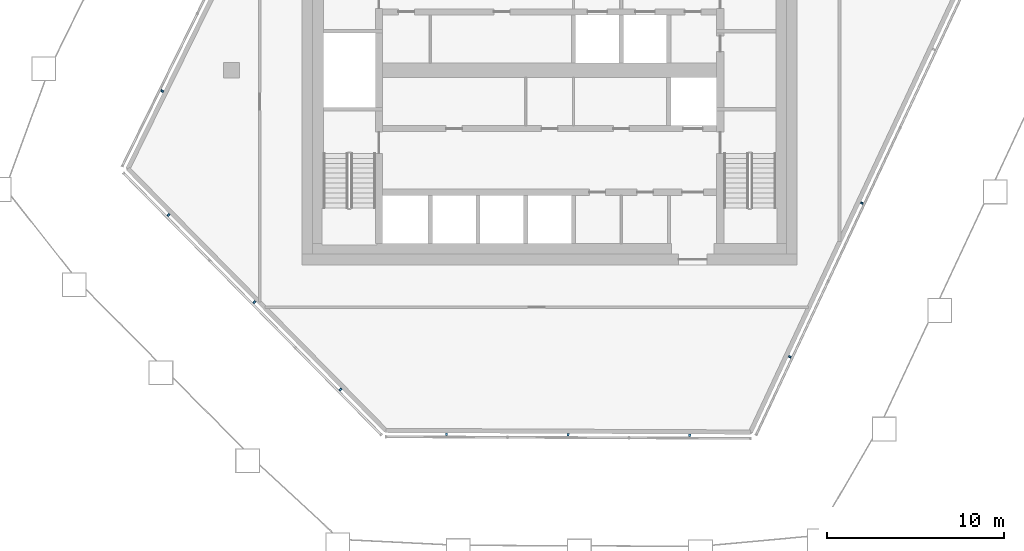
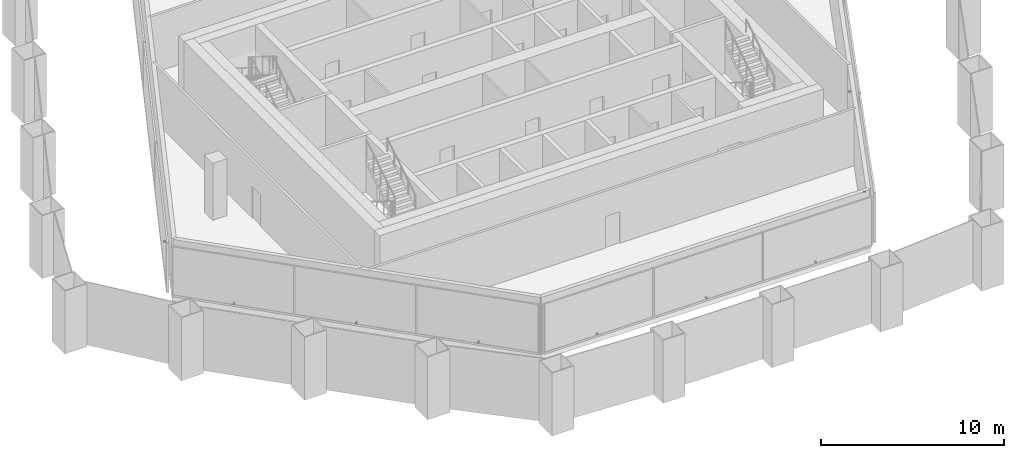
# One storey, part 10 of 18: 9 discrete accessories, 4 elements without a shape of their own.
"""IFC4 building model written with IfcOpenShell, lengths in metres."""

from ifc_helpers import new_model, si_unit, direction, frame, origin, origin_2d, place, context, subcontext, project, spatial, rectangle, extrude, material, layer, layer_set, type_object, element, aggregate, save


model = new_model("IFC4")

# Units and contexts
model_context = context("Model", 3, precision=1e-05, world=origin(), true_north=direction((0.0, 1.0)))
body_context = subcontext(model_context, "Body", "Model", "MODEL_VIEW")
ifc_project = project(units=[si_unit("LENGTHUNIT", "METRE"), si_unit("AREAUNIT", "SQUARE_METRE"), si_unit("VOLUMEUNIT", "CUBIC_METRE"), si_unit("PLANEANGLEUNIT", "RADIAN"), si_unit("MASSUNIT", "GRAM", prefix="KILO")], contexts=[model_context])

# Site, building, storey
site_placement = place(None, origin())
site = spatial("IfcSite", under=ifc_project, at=site_placement, CompositionType="ELEMENT")
building_placement = place(site_placement, origin())
building = spatial("IfcBuilding", under=site, at=building_placement, Name="Dongbaek Canopy Tower", CompositionType="ELEMENT")
storey_placement = place(building_placement, frame((0.0, 0.0, 359.0)))
storey = spatial("IfcBuildingStorey", under=building, at=storey_placement, Name="L77", CompositionType="ELEMENT", Elevation=359.0)

# Curtain wall, discrete accessories
ifc_material_1 = material(Name="Aluminium 6063-T6 pale anodised", Category="aluminium")
ifc_layer = layer(ifc_material_1, 0.14990234375)
ifc_layer_set = layer_set([ifc_layer], Name="CW-7 louvre curtain wall")
curtain_wall_type = type_object("IfcCurtainWallType", Name="CW-7 louvre curtain wall", PredefinedType="NOTDEFINED", material=ifc_layer_set)
curtain_wall_1_placement = place(storey_placement, origin())
curtain_wall_1 = element("IfcCurtainWall", 1, at=curtain_wall_1_placement, inside=storey, type_object=curtain_wall_type, Name="CW-7 louvre wall L77 F0", PredefinedType="NOTDEFINED")
ifc_material_2 = material(Name="Galvanised steel S355 bracket", Category="steel")
discrete_accessory_type = type_object("IfcDiscreteAccessoryType", Name="Louvre bracket BR1", PredefinedType="BRACKET", material=ifc_material_2)
discrete_accessory_1_placement = place(storey_placement, frame((-5.827880859375, -20.592041015625, 0.18994140625), z_axis=(0.0, 0.0, 1.0), x_axis=(0.999990026762, -0.004466136555, 0.0)))
discrete_accessory_1 = element("IfcDiscreteAccessory", 2, at=discrete_accessory_1_placement, type_object=discrete_accessory_type, Name="Louvre bracket L77 F0.1.1", PredefinedType="BRACKET", context=body_context, shape_type="SweptSolid", body=[
    extrude(rectangle(XDim=0.1201171875, YDim=0.14990234375, at=origin_2d()), origin(), (0.0, 0.0, 1.0), 0.10009765625),
])
discrete_accessory_2_placement = place(storey_placement, frame((1.050048828125, -20.622802734375, 0.18994140625), z_axis=(0.0, 0.0, 1.0), x_axis=(0.999990026762, -0.004466136555, 0.0)))
discrete_accessory_2 = element("IfcDiscreteAccessory", 3, at=discrete_accessory_2_placement, type_object=discrete_accessory_type, Name="Louvre bracket L77 F0.1.2", PredefinedType="BRACKET", context=body_context, shape_type="SweptSolid", body=[
    extrude(rectangle(XDim=0.1201171875, YDim=0.14990234375, at=origin_2d()), origin(), (0.0, 0.0, 1.0), 0.10009765625),
])
discrete_accessory_3_placement = place(storey_placement, frame((7.927734375, -20.6533203125, 0.18994140625), z_axis=(0.0, 0.0, 1.0), x_axis=(0.999990026762, -0.004466136555, 0.0)))
discrete_accessory_3 = element("IfcDiscreteAccessory", 4, at=discrete_accessory_3_placement, type_object=discrete_accessory_type, Name="Louvre bracket L77 F0.1.3", PredefinedType="BRACKET", context=body_context, shape_type="SweptSolid", body=[
    extrude(rectangle(XDim=0.1201171875, YDim=0.14990234375, at=origin_2d()), origin(), (0.0, 0.0, 1.0), 0.10009765625),
])
aggregate(curtain_wall_1, [discrete_accessory_1, discrete_accessory_2, discrete_accessory_3])

curtain_wall_2_placement = place(storey_placement, origin())
curtain_wall_2 = element("IfcCurtainWall", 5, at=curtain_wall_2_placement, inside=storey, type_object=curtain_wall_type, Name="CW-7 louvre wall L77 F1", PredefinedType="NOTDEFINED")
discrete_accessory_4_placement = place(storey_placement, frame((13.58447265625, -16.20654296875, 0.18994140625), z_axis=(0.0, 0.0, 1.0), x_axis=(0.42412286138, 0.905604659029, 0.0)))
discrete_accessory_4 = element("IfcDiscreteAccessory", 6, at=discrete_accessory_4_placement, type_object=discrete_accessory_type, Name="Louvre bracket L77 F1.1.1", PredefinedType="BRACKET", context=body_context, shape_type="SweptSolid", body=[
    extrude(rectangle(XDim=0.1201171875, YDim=0.14990234375, at=origin_2d()), origin(), (0.0, 0.0, 1.0), 0.10009765625),
])
discrete_accessory_5_placement = place(storey_placement, frame((17.65625, -7.51220703125, 0.18994140625), z_axis=(0.0, 0.0, 1.0), x_axis=(0.42412286138, 0.905604659029, 0.0)))
discrete_accessory_5 = element("IfcDiscreteAccessory", 7, at=discrete_accessory_5_placement, type_object=discrete_accessory_type, Name="Louvre bracket L77 F1.1.2", PredefinedType="BRACKET", context=body_context, shape_type="SweptSolid", body=[
    extrude(rectangle(XDim=0.1201171875, YDim=0.14990234375, at=origin_2d()), origin(), (0.0, 0.0, 1.0), 0.10009765625),
])
aggregate(curtain_wall_2, [discrete_accessory_4, discrete_accessory_5])

# Curtain wall, discrete accessory
curtain_wall_3_placement = place(storey_placement, origin())
curtain_wall_3 = element("IfcCurtainWall", 8, at=curtain_wall_3_placement, inside=storey, type_object=curtain_wall_type, Name="CW-7 louvre wall L77 F4", PredefinedType="NOTDEFINED")
discrete_accessory_6_placement = place(storey_placement, frame((-21.911865234375, -1.171875, 0.18994140625), z_axis=(0.0, 0.0, 1.0), x_axis=(-0.441341619439, -0.897339163834, 0.0)))
discrete_accessory_6 = element("IfcDiscreteAccessory", 9, at=discrete_accessory_6_placement, type_object=discrete_accessory_type, Name="Louvre bracket L77 F4.1.3", PredefinedType="BRACKET", context=body_context, shape_type="SweptSolid", body=[
    extrude(rectangle(XDim=0.1201171875, YDim=0.14990234375, at=origin_2d()), origin(), (0.0, 0.0, 1.0), 0.10009765625),
])
aggregate(curtain_wall_3, [discrete_accessory_6])

# Curtain wall, discrete accessories
curtain_wall_4_placement = place(storey_placement, origin())
curtain_wall_4 = element("IfcCurtainWall", 10, at=curtain_wall_4_placement, inside=storey, type_object=curtain_wall_type, Name="CW-7 louvre wall L77 F5", PredefinedType="NOTDEFINED")
discrete_accessory_7_placement = place(storey_placement, frame((-21.562744140625, -8.176513671875, 0.18994140625), z_axis=(0.0, 0.0, 1.0), x_axis=(0.70171826998, -0.712454538603, 0.0)))
discrete_accessory_7 = element("IfcDiscreteAccessory", 11, at=discrete_accessory_7_placement, type_object=discrete_accessory_type, Name="Louvre bracket L77 F5.1.1", PredefinedType="BRACKET", context=body_context, shape_type="SweptSolid", body=[
    extrude(rectangle(XDim=0.1201171875, YDim=0.14990234375, at=origin_2d()), origin(), (0.0, 0.0, 1.0), 0.10009765625),
])
discrete_accessory_8_placement = place(storey_placement, frame((-16.700927734375, -13.11279296875, 0.18994140625), z_axis=(0.0, 0.0, 1.0), x_axis=(0.70171826998, -0.712454538603, 0.0)))
discrete_accessory_8 = element("IfcDiscreteAccessory", 12, at=discrete_accessory_8_placement, type_object=discrete_accessory_type, Name="Louvre bracket L77 F5.1.2", PredefinedType="BRACKET", context=body_context, shape_type="SweptSolid", body=[
    extrude(rectangle(XDim=0.1201171875, YDim=0.14990234375, at=origin_2d()), origin(), (0.0, 0.0, 1.0), 0.10009765625),
])
discrete_accessory_9_placement = place(storey_placement, frame((-11.839111328125, -18.048828125, 0.18994140625), z_axis=(0.0, 0.0, 1.0), x_axis=(0.70171826998, -0.712454538603, 0.0)))
discrete_accessory_9 = element("IfcDiscreteAccessory", 13, at=discrete_accessory_9_placement, type_object=discrete_accessory_type, Name="Louvre bracket L77 F5.1.3", PredefinedType="BRACKET", context=body_context, shape_type="SweptSolid", body=[
    extrude(rectangle(XDim=0.1201171875, YDim=0.14990234375, at=origin_2d()), origin(), (0.0, 0.0, 1.0), 0.10009765625),
])
aggregate(curtain_wall_4, [discrete_accessory_7, discrete_accessory_8, discrete_accessory_9])

save(model, "model.ifc")
